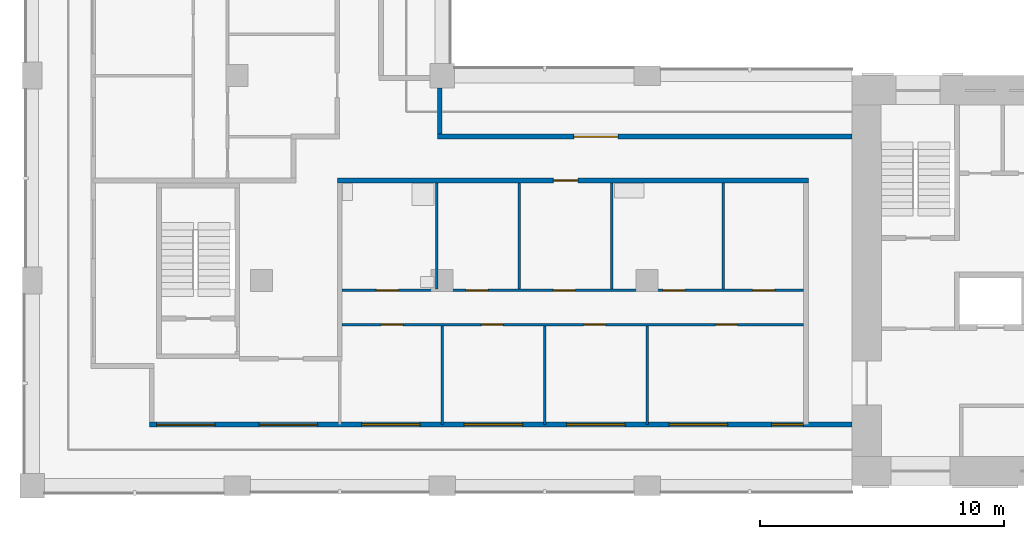
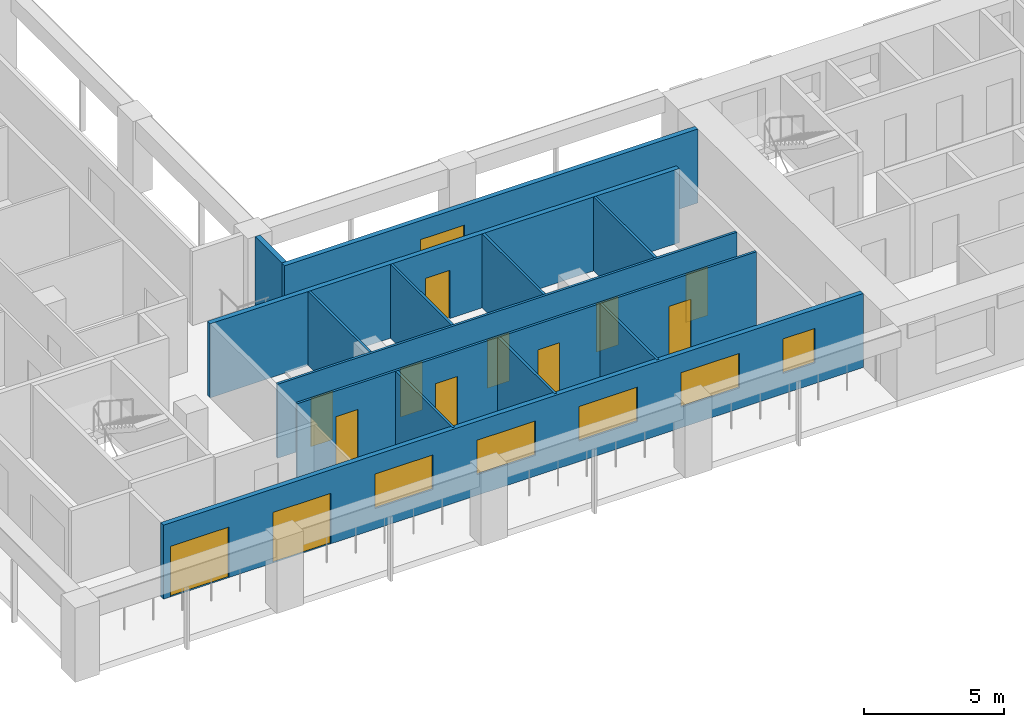
# One storey, part 2 of 9: 13 doors, 13 walls, 5 windows, 18 openings.
"""IFC4 building model written with IfcOpenShell, lengths in metres."""

from ifc_helpers import new_model, si_unit, direction, frame, frame_2d, origin, place, context, subcontext, project, spatial, rectangle, extrude, material, layer, layer_set, type_object, element, fill, save


model = new_model("IFC4")

# Units and contexts
model_context = context("Model", 3, precision=1e-05, world=origin(), true_north=direction((0.0, 1.0)))
body_context = subcontext(model_context, "Body", "Model", "MODEL_VIEW")
ifc_project = project(units=[si_unit("LENGTHUNIT", "METRE"), si_unit("AREAUNIT", "SQUARE_METRE"), si_unit("VOLUMEUNIT", "CUBIC_METRE"), si_unit("PLANEANGLEUNIT", "RADIAN"), si_unit("MASSUNIT", "GRAM", prefix="KILO")], contexts=[model_context])

# Site, building, storey
site_placement = place(None, origin())
site = spatial("IfcSite", under=ifc_project, at=site_placement, CompositionType="ELEMENT")
building_placement = place(site_placement, origin())
building = spatial("IfcBuilding", under=site, at=building_placement, Name="Vermilion Gate Residences", CompositionType="ELEMENT")
storey_placement = place(building_placement, frame((0.0, 0.0, 249.199951171875)))
storey = spatial("IfcBuildingStorey", under=building, at=storey_placement, Name="L65", CompositionType="ELEMENT", Elevation=249.199951171875)

# Wall, openings, doors, windows
ifc_material_1 = material(Name="Insulated steel stud wall with terracotta rainscreen", Category="masonry")
ifc_layer_1 = layer(ifc_material_1, 0.199951171875)
ifc_layer_set_1 = layer_set([ifc_layer_1], Name="EXTERNAL WALL 200 TERRACOTTA RAINSCREEN")
wall_type_1 = type_object("IfcWallType", Name="EXTERNAL WALL 200 TERRACOTTA RAINSCREEN", PredefinedType="SOLIDWALL", material=ifc_layer_set_1)
wall_1_placement = place(storey_placement, frame((13.199951171875, 10.89990234375, 0.0), z_axis=(0.0, 0.0, 1.0), x_axis=(1.0, 0.0, 0.0)))
wall_1 = element("IfcWall", 1, at=wall_1_placement, inside=storey, type_object=wall_type_1, Name="External wall", PredefinedType="SOLIDWALL", context=body_context, shape_type="SweptSolid", body=[
    extrude(rectangle(XDim=28.800048828125, YDim=0.199951171875, at=frame_2d((14.39990234375, 0.0))), origin(), (0.0, 0.0, 1.0), 3.219970703125),
])
opening_1_placement = place(wall_1_placement, frame((0.300048828125, 0.0, 0.0)))
opening_1 = element("IfcOpeningElement", 2, at=opening_1_placement, cuts=wall_1, Name="Opening DE65008", PredefinedType="OPENING", context=body_context, shape_type="SweptSolid", body=[
    extrude(rectangle(XDim=2.39990234375, YDim=2.199951171875, at=frame_2d((1.199951171875, 1.10009765625))), frame((0.0, 0.10986328125, 0.0), z_axis=(0.0, -1.0, 0.0), x_axis=(1.0, 0.0, 0.0)), (0.0, 0.0, 1.0), 0.219970703125),
])
opening_2_placement = place(wall_1_placement, frame((4.5, 0.0, 0.0)))
opening_2 = element("IfcOpeningElement", 3, at=opening_2_placement, cuts=wall_1, Name="Opening DE65009", PredefinedType="OPENING", context=body_context, shape_type="SweptSolid", body=[
    extrude(rectangle(XDim=2.39990234375, YDim=2.199951171875, at=frame_2d((1.199951171875, 1.10009765625))), frame((0.0, 0.10986328125, 0.0), z_axis=(0.0, -1.0, 0.0), x_axis=(1.0, 0.0, 0.0)), (0.0, 0.0, 1.0), 0.219970703125),
])
opening_3_placement = place(wall_1_placement, frame((8.699951171875, 0.0, 0.89990234375)))
opening_3 = element("IfcOpeningElement", 4, at=opening_3_placement, cuts=wall_1, Name="Opening WE65010", PredefinedType="OPENING", context=body_context, shape_type="SweptSolid", body=[
    extrude(rectangle(XDim=2.39990234375, YDim=1.5, at=frame_2d((1.199951171875, 0.75))), frame((0.0, 0.10986328125, 0.0), z_axis=(0.0, -1.0, 0.0), x_axis=(1.0, 0.0, 0.0)), (0.0, 0.0, 1.0), 0.219970703125),
])
opening_4_placement = place(wall_1_placement, frame((12.89990234375, 0.0, 0.89990234375)))
opening_4 = element("IfcOpeningElement", 5, at=opening_4_placement, cuts=wall_1, Name="Opening WE65011", PredefinedType="OPENING", context=body_context, shape_type="SweptSolid", body=[
    extrude(rectangle(XDim=2.39990234375, YDim=1.5, at=frame_2d((1.199951171875, 0.75))), frame((0.0, 0.10986328125, 0.0), z_axis=(0.0, -1.0, 0.0), x_axis=(1.0, 0.0, 0.0)), (0.0, 0.0, 1.0), 0.219970703125),
])
opening_5_placement = place(wall_1_placement, frame((17.10009765625, 0.0, 0.89990234375)))
opening_5 = element("IfcOpeningElement", 6, at=opening_5_placement, cuts=wall_1, Name="Opening WE65012", PredefinedType="OPENING", context=body_context, shape_type="SweptSolid", body=[
    extrude(rectangle(XDim=2.39990234375, YDim=1.5, at=frame_2d((1.199951171875, 0.75))), frame((0.0, 0.10986328125, 0.0), z_axis=(0.0, -1.0, 0.0), x_axis=(1.0, 0.0, 0.0)), (0.0, 0.0, 1.0), 0.219970703125),
])
opening_6_placement = place(wall_1_placement, frame((21.300048828125, 0.0, 0.89990234375)))
opening_6 = element("IfcOpeningElement", 7, at=opening_6_placement, cuts=wall_1, Name="Opening WE65013", PredefinedType="OPENING", context=body_context, shape_type="SweptSolid", body=[
    extrude(rectangle(XDim=2.39990234375, YDim=1.5, at=frame_2d((1.199951171875, 0.75))), frame((0.0, 0.10986328125, 0.0), z_axis=(0.0, -1.0, 0.0), x_axis=(1.0, 0.0, 0.0)), (0.0, 0.0, 1.0), 0.219970703125),
])
opening_7_placement = place(wall_1_placement, frame((25.5, 0.0, 0.89990234375)))
opening_7 = element("IfcOpeningElement", 8, at=opening_7_placement, cuts=wall_1, Name="Opening WE65014", PredefinedType="OPENING", context=body_context, shape_type="SweptSolid", body=[
    extrude(rectangle(XDim=1.300048828125, YDim=1.5, at=frame_2d((0.64990234375, 0.75))), frame((0.0, 0.10986328125, 0.0), z_axis=(0.0, -1.0, 0.0), x_axis=(1.0, 0.0, 0.0)), (0.0, 0.0, 1.0), 0.219970703125),
])
ifc_material_2 = material(Name="Aluminium and clear glass", Category="aluminium")
door_type_1 = type_object("IfcDoorType", Name="SLIDING GLAZED DOOR 2400 X 2200", OperationType="DOUBLE_DOOR_SLIDING", PredefinedType="DOOR", material=ifc_material_2)
door_1_placement = place(opening_1_placement, origin())
door_1 = element("IfcDoor", 9, at=door_1_placement, inside=storey, type_object=door_type_1, Name="Loggia sliding door", OperationType="DOUBLE_DOOR_SLIDING", OverallHeight=2.199951171875, OverallWidth=2.39990234375, PredefinedType="DOOR", context=body_context, shape_type="SweptSolid", body=[
    extrude(rectangle(XDim=2.39990234375, YDim=2.199951171875, at=frame_2d((1.199951171875, 1.10009765625))), frame((0.0, 0.02490234375, 0.0), z_axis=(0.0, -1.0, 0.0), x_axis=(1.0, 0.0, 0.0)), (0.0, 0.0, 1.0), 0.050048828125),
])
fill(opening_1, door_1)
door_2_placement = place(opening_2_placement, origin())
door_2 = element("IfcDoor", 10, at=door_2_placement, inside=storey, type_object=door_type_1, Name="Loggia sliding door", OperationType="DOUBLE_DOOR_SLIDING", OverallHeight=2.199951171875, OverallWidth=2.39990234375, PredefinedType="DOOR", context=body_context, shape_type="SweptSolid", body=[
    extrude(rectangle(XDim=2.39990234375, YDim=2.199951171875, at=frame_2d((1.199951171875, 1.10009765625))), frame((0.0, 0.02490234375, 0.0), z_axis=(0.0, -1.0, 0.0), x_axis=(1.0, 0.0, 0.0)), (0.0, 0.0, 1.0), 0.050048828125),
])
fill(opening_2, door_2)
ifc_material_3 = material(Name="Aluminium and clear glass", Category="aluminium")
window_type_1 = type_object("IfcWindowType", Name="WINDOW 1300 X 1500", PartitioningType="SINGLE_PANEL", PredefinedType="WINDOW", material=ifc_material_3)
window_1_placement = place(opening_7_placement, origin())
window_1 = element("IfcWindow", 11, at=window_1_placement, inside=storey, type_object=window_type_1, Name="Window", OverallHeight=1.5, OverallWidth=1.300048828125, PartitioningType="SINGLE_PANEL", PredefinedType="WINDOW", context=body_context, shape_type="SweptSolid", body=[
    extrude(rectangle(XDim=1.300048828125, YDim=1.5, at=frame_2d((0.64990234375, 0.75))), frame((0.0, 0.030029296875, 0.0), z_axis=(0.0, -1.0, 0.0), x_axis=(1.0, 0.0, 0.0)), (0.0, 0.0, 1.0), 0.06005859375),
])
fill(opening_7, window_1)
ifc_material_4 = material(Name="Aluminium and clear glass", Category="aluminium")
window_type_2 = type_object("IfcWindowType", Name="WINDOW 2400 X 1500", PartitioningType="SINGLE_PANEL", PredefinedType="WINDOW", material=ifc_material_4)
window_2_placement = place(opening_3_placement, origin())
window_2 = element("IfcWindow", 12, at=window_2_placement, inside=storey, type_object=window_type_2, Name="Window", OverallHeight=1.5, OverallWidth=2.39990234375, PartitioningType="SINGLE_PANEL", PredefinedType="WINDOW", context=body_context, shape_type="SweptSolid", body=[
    extrude(rectangle(XDim=2.39990234375, YDim=1.5, at=frame_2d((1.199951171875, 0.75))), frame((0.0, 0.030029296875, 0.0), z_axis=(0.0, -1.0, 0.0), x_axis=(1.0, 0.0, 0.0)), (0.0, 0.0, 1.0), 0.06005859375),
])
fill(opening_3, window_2)
window_3_placement = place(opening_4_placement, origin())
window_3 = element("IfcWindow", 13, at=window_3_placement, inside=storey, type_object=window_type_2, Name="Window", OverallHeight=1.5, OverallWidth=2.39990234375, PartitioningType="SINGLE_PANEL", PredefinedType="WINDOW", context=body_context, shape_type="SweptSolid", body=[
    extrude(rectangle(XDim=2.39990234375, YDim=1.5, at=frame_2d((1.199951171875, 0.75))), frame((0.0, 0.030029296875, 0.0), z_axis=(0.0, -1.0, 0.0), x_axis=(1.0, 0.0, 0.0)), (0.0, 0.0, 1.0), 0.06005859375),
])
fill(opening_4, window_3)
window_4_placement = place(opening_5_placement, origin())
window_4 = element("IfcWindow", 14, at=window_4_placement, inside=storey, type_object=window_type_2, Name="Window", OverallHeight=1.5, OverallWidth=2.39990234375, PartitioningType="SINGLE_PANEL", PredefinedType="WINDOW", context=body_context, shape_type="SweptSolid", body=[
    extrude(rectangle(XDim=2.39990234375, YDim=1.5, at=frame_2d((1.199951171875, 0.75))), frame((0.0, 0.030029296875, 0.0), z_axis=(0.0, -1.0, 0.0), x_axis=(1.0, 0.0, 0.0)), (0.0, 0.0, 1.0), 0.06005859375),
])
fill(opening_5, window_4)
window_5_placement = place(opening_6_placement, origin())
window_5 = element("IfcWindow", 15, at=window_5_placement, inside=storey, type_object=window_type_2, Name="Window", OverallHeight=1.5, OverallWidth=2.39990234375, PartitioningType="SINGLE_PANEL", PredefinedType="WINDOW", context=body_context, shape_type="SweptSolid", body=[
    extrude(rectangle(XDim=2.39990234375, YDim=1.5, at=frame_2d((1.199951171875, 0.75))), frame((0.0, 0.030029296875, 0.0), z_axis=(0.0, -1.0, 0.0), x_axis=(1.0, 0.0, 0.0)), (0.0, 0.0, 1.0), 0.06005859375),
])
fill(opening_6, window_5)

# Wall, opening, door
wall_2_placement = place(storey_placement, frame((42.0, 22.699951171875, 0.0), z_axis=(0.0, 0.0, 1.0), x_axis=(-1.0, 0.0, 0.0)))
wall_2 = element("IfcWall", 16, at=wall_2_placement, inside=storey, type_object=wall_type_1, Name="External wall", PredefinedType="SOLIDWALL", context=body_context, shape_type="SweptSolid", body=[
    extrude(rectangle(XDim=17.0, YDim=0.199951171875, at=frame_2d((8.5, 0.0))), origin(), (0.0, 0.0, 1.0), 3.219970703125),
])
opening_8_placement = place(wall_2_placement, frame((9.60009765625, 0.0, 0.0)))
opening_8 = element("IfcOpeningElement", 17, at=opening_8_placement, cuts=wall_2, Name="Opening DE65015", PredefinedType="OPENING", context=body_context, shape_type="SweptSolid", body=[
    extrude(rectangle(XDim=1.800048828125, YDim=2.39990234375, at=frame_2d((0.89990234375, 1.199951171875))), frame((0.0, 0.10986328125, 0.0), z_axis=(0.0, -1.0, 0.0), x_axis=(1.0, 0.0, 0.0)), (0.0, 0.0, 1.0), 0.219970703125),
])
ifc_material_5 = material(Name="Aluminium and clear glass", Category="aluminium")
door_type_2 = type_object("IfcDoorType", Name="GLAZED EXTERNAL DOOR 1800 X 2400", OperationType="DOUBLE_DOOR_SINGLE_SWING", PredefinedType="DOOR", material=ifc_material_5)
door_3_placement = place(opening_8_placement, frame((1.800048828125, 0.0, 0.0), z_axis=(0.0, 0.0, 1.0), x_axis=(-1.0, 0.0, 0.0)))
door_3 = element("IfcDoor", 18, at=door_3_placement, inside=storey, type_object=door_type_2, Name="Gallery door", OperationType="DOUBLE_DOOR_SINGLE_SWING", OverallHeight=2.39990234375, OverallWidth=1.800048828125, PredefinedType="DOOR", context=body_context, shape_type="SweptSolid", body=[
    extrude(rectangle(XDim=1.800048828125, YDim=2.39990234375, at=frame_2d((0.89990234375, 1.199951171875))), frame((0.0, 0.02490234375, 0.0), z_axis=(0.0, -1.0, 0.0), x_axis=(1.0, 0.0, 0.0)), (0.0, 0.0, 1.0), 0.050048828125),
])
fill(opening_8, door_3)

# Wall
wall_3_placement = place(storey_placement, frame((25.10009765625, 22.800048828125, 0.0), z_axis=(0.0, 0.0, 1.0), x_axis=(0.0, 1.0, 0.0)))
element("IfcWall", 19, at=wall_3_placement, inside=storey, type_object=wall_type_1, Name="External wall", PredefinedType="SOLIDWALL", context=body_context, shape_type="SweptSolid", body=[
    extrude(rectangle(XDim=1.89990234375, YDim=0.199951171875, at=frame_2d((0.949951171875, 0.0))), origin(), (0.0, 0.0, 1.0), 3.219970703125),
])

# Wall, openings, doors
ifc_material_6 = material(Name="Plasterboard on steel studs", Category="steel")
ifc_layer_2 = layer(ifc_material_6, 0.10009765625)
ifc_layer_set_2 = layer_set([ifc_layer_2], Name="PARTITION 100")
wall_type_2 = type_object("IfcWallType", Name="PARTITION 100", PredefinedType="PARTITIONING", material=ifc_layer_set_2)
wall_4_placement = place(storey_placement, frame((21.10009765625, 15.0, 0.0), z_axis=(0.0, 0.0, 1.0), x_axis=(1.0, 0.0, 0.0)))
wall_4 = element("IfcWall", 20, at=wall_4_placement, inside=storey, type_object=wall_type_2, Name="Partition", PredefinedType="PARTITIONING", context=body_context, shape_type="SweptSolid", body=[
    extrude(rectangle(XDim=18.89990234375, YDim=0.10009765625, at=frame_2d((9.449951171875, 0.0))), origin(), (0.0, 0.0, 1.0), 3.219970703125),
])
opening_9_placement = place(wall_4_placement, frame((1.60009765625, 0.0, 0.0)))
opening_9 = element("IfcOpeningElement", 21, at=opening_9_placement, cuts=wall_4, Name="Opening DA64002", PredefinedType="OPENING", context=body_context, shape_type="SweptSolid", body=[
    extrude(rectangle(XDim=0.89990234375, YDim=2.10009765625, at=frame_2d((0.449951171875, 1.050048828125))), frame((0.0, 0.06005859375, 0.0), z_axis=(0.0, -1.0, 0.0), x_axis=(1.0, 0.0, 0.0)), (0.0, 0.0, 1.0), 0.1201171875),
])
opening_10_placement = place(wall_4_placement, frame((5.699951171875, 0.0, 0.0)))
opening_10 = element("IfcOpeningElement", 22, at=opening_10_placement, cuts=wall_4, Name="Opening DA64003", PredefinedType="OPENING", context=body_context, shape_type="SweptSolid", body=[
    extrude(rectangle(XDim=0.89990234375, YDim=2.10009765625, at=frame_2d((0.449951171875, 1.050048828125))), frame((0.0, 0.06005859375, 0.0), z_axis=(0.0, -1.0, 0.0), x_axis=(1.0, 0.0, 0.0)), (0.0, 0.0, 1.0), 0.1201171875),
])
opening_11_placement = place(wall_4_placement, frame((9.89990234375, 0.0, 0.0)))
opening_11 = element("IfcOpeningElement", 23, at=opening_11_placement, cuts=wall_4, Name="Opening DA64004", PredefinedType="OPENING", context=body_context, shape_type="SweptSolid", body=[
    extrude(rectangle(XDim=0.89990234375, YDim=2.10009765625, at=frame_2d((0.449951171875, 1.050048828125))), frame((0.0, 0.06005859375, 0.0), z_axis=(0.0, -1.0, 0.0), x_axis=(1.0, 0.0, 0.0)), (0.0, 0.0, 1.0), 0.1201171875),
])
opening_12_placement = place(wall_4_placement, frame((15.300048828125, 0.0, 0.0)))
opening_12 = element("IfcOpeningElement", 24, at=opening_12_placement, cuts=wall_4, Name="Opening DA64005", PredefinedType="OPENING", context=body_context, shape_type="SweptSolid", body=[
    extrude(rectangle(XDim=0.89990234375, YDim=2.10009765625, at=frame_2d((0.449951171875, 1.050048828125))), frame((0.0, 0.06005859375, 0.0), z_axis=(0.0, -1.0, 0.0), x_axis=(1.0, 0.0, 0.0)), (0.0, 0.0, 1.0), 0.1201171875),
])
ifc_material_7 = material(Name="Timber", Category="wood")
door_type_3 = type_object("IfcDoorType", Name="INTERIOR DOOR 900 X 2100", OperationType="SINGLE_SWING_LEFT", PredefinedType="DOOR", material=ifc_material_7)
door_4_placement = place(opening_9_placement, frame((0.89990234375, 0.0, 0.0), z_axis=(0.0, 0.0, 1.0), x_axis=(-1.0, 0.0, 0.0)))
door_4 = element("IfcDoor", 25, at=door_4_placement, inside=storey, type_object=door_type_3, Name="Interior door", OperationType="SINGLE_SWING_LEFT", OverallHeight=2.10009765625, OverallWidth=0.89990234375, PredefinedType="DOOR", context=body_context, shape_type="SweptSolid", body=[
    extrude(rectangle(XDim=0.89990234375, YDim=2.10009765625, at=frame_2d((0.449951171875, 1.050048828125))), frame((0.0, 0.02490234375, 0.0), z_axis=(0.0, -1.0, 0.0), x_axis=(1.0, 0.0, 0.0)), (0.0, 0.0, 1.0), 0.050048828125),
])
fill(opening_9, door_4)
door_5_placement = place(opening_10_placement, frame((0.89990234375, 0.0, 0.0), z_axis=(0.0, 0.0, 1.0), x_axis=(-1.0, 0.0, 0.0)))
door_5 = element("IfcDoor", 26, at=door_5_placement, inside=storey, type_object=door_type_3, Name="Interior door", OperationType="SINGLE_SWING_RIGHT", OverallHeight=2.10009765625, OverallWidth=0.89990234375, PredefinedType="DOOR", context=body_context, shape_type="SweptSolid", body=[
    extrude(rectangle(XDim=0.89990234375, YDim=2.10009765625, at=frame_2d((0.449951171875, 1.050048828125))), frame((0.0, 0.02490234375, 0.0), z_axis=(0.0, -1.0, 0.0), x_axis=(1.0, 0.0, 0.0)), (0.0, 0.0, 1.0), 0.050048828125),
])
fill(opening_10, door_5)
door_6_placement = place(opening_11_placement, frame((0.89990234375, 0.0, 0.0), z_axis=(0.0, 0.0, 1.0), x_axis=(-1.0, 0.0, 0.0)))
door_6 = element("IfcDoor", 27, at=door_6_placement, inside=storey, type_object=door_type_3, Name="Interior door", OperationType="SINGLE_SWING_RIGHT", OverallHeight=2.10009765625, OverallWidth=0.89990234375, PredefinedType="DOOR", context=body_context, shape_type="SweptSolid", body=[
    extrude(rectangle(XDim=0.89990234375, YDim=2.10009765625, at=frame_2d((0.449951171875, 1.050048828125))), frame((0.0, 0.02490234375, 0.0), z_axis=(0.0, -1.0, 0.0), x_axis=(1.0, 0.0, 0.0)), (0.0, 0.0, 1.0), 0.050048828125),
])
fill(opening_11, door_6)
door_7_placement = place(opening_12_placement, frame((0.89990234375, 0.0, 0.0), z_axis=(0.0, 0.0, 1.0), x_axis=(-1.0, 0.0, 0.0)))
door_7 = element("IfcDoor", 28, at=door_7_placement, inside=storey, type_object=door_type_3, Name="Interior door", OperationType="SINGLE_SWING_LEFT", OverallHeight=2.10009765625, OverallWidth=0.89990234375, PredefinedType="DOOR", context=body_context, shape_type="SweptSolid", body=[
    extrude(rectangle(XDim=0.89990234375, YDim=2.10009765625, at=frame_2d((0.449951171875, 1.050048828125))), frame((0.0, 0.02490234375, 0.0), z_axis=(0.0, -1.0, 0.0), x_axis=(1.0, 0.0, 0.0)), (0.0, 0.0, 1.0), 0.050048828125),
])
fill(opening_12, door_7)

wall_5_placement = place(storey_placement, frame((21.10009765625, 16.39990234375, 0.0), z_axis=(0.0, 0.0, 1.0), x_axis=(1.0, 0.0, 0.0)))
wall_5 = element("IfcWall", 29, at=wall_5_placement, inside=storey, type_object=wall_type_2, Name="Partition", PredefinedType="PARTITIONING", context=body_context, shape_type="SweptSolid", body=[
    extrude(rectangle(XDim=18.89990234375, YDim=0.10009765625, at=frame_2d((9.449951171875, 0.0))), origin(), (0.0, 0.0, 1.0), 3.219970703125),
])
opening_13_placement = place(wall_5_placement, frame((8.659912109375, 0.0, 0.0)))
opening_13 = element("IfcOpeningElement", 30, at=opening_13_placement, cuts=wall_5, Name="Opening DA64006", PredefinedType="OPENING", context=body_context, shape_type="SweptSolid", body=[
    extrude(rectangle(XDim=0.89990234375, YDim=2.10009765625, at=frame_2d((0.449951171875, 1.050048828125))), frame((0.0, 0.06005859375, 0.0), z_axis=(0.0, -1.0, 0.0), x_axis=(1.0, 0.0, 0.0)), (0.0, 0.0, 1.0), 0.1201171875),
])
opening_14_placement = place(wall_5_placement, frame((1.39990234375, 0.0, 0.0)))
opening_14 = element("IfcOpeningElement", 31, at=opening_14_placement, cuts=wall_5, Name="Opening DA64007", PredefinedType="OPENING", context=body_context, shape_type="SweptSolid", body=[
    extrude(rectangle(XDim=0.89990234375, YDim=2.10009765625, at=frame_2d((0.449951171875, 1.050048828125))), frame((0.0, 0.06005859375, 0.0), z_axis=(0.0, -1.0, 0.0), x_axis=(1.0, 0.0, 0.0)), (0.0, 0.0, 1.0), 0.1201171875),
])
opening_15_placement = place(wall_5_placement, frame((5.080078125, 0.0, 0.0)))
opening_15 = element("IfcOpeningElement", 32, at=opening_15_placement, cuts=wall_5, Name="Opening DA64008", PredefinedType="OPENING", context=body_context, shape_type="SweptSolid", body=[
    extrude(rectangle(XDim=0.89990234375, YDim=2.10009765625, at=frame_2d((0.449951171875, 1.050048828125))), frame((0.0, 0.06005859375, 0.0), z_axis=(0.0, -1.0, 0.0), x_axis=(1.0, 0.0, 0.0)), (0.0, 0.0, 1.0), 0.1201171875),
])
opening_16_placement = place(wall_5_placement, frame((13.139892578125, 0.0, 0.0)))
opening_16 = element("IfcOpeningElement", 33, at=opening_16_placement, cuts=wall_5, Name="Opening DA64009", PredefinedType="OPENING", context=body_context, shape_type="SweptSolid", body=[
    extrude(rectangle(XDim=0.89990234375, YDim=2.10009765625, at=frame_2d((0.449951171875, 1.050048828125))), frame((0.0, 0.06005859375, 0.0), z_axis=(0.0, -1.0, 0.0), x_axis=(1.0, 0.0, 0.0)), (0.0, 0.0, 1.0), 0.1201171875),
])
opening_17_placement = place(wall_5_placement, frame((16.820068359375, 0.0, 0.0)))
opening_17 = element("IfcOpeningElement", 34, at=opening_17_placement, cuts=wall_5, Name="Opening DA64010", PredefinedType="OPENING", context=body_context, shape_type="SweptSolid", body=[
    extrude(rectangle(XDim=0.89990234375, YDim=2.10009765625, at=frame_2d((0.449951171875, 1.050048828125))), frame((0.0, 0.06005859375, 0.0), z_axis=(0.0, -1.0, 0.0), x_axis=(1.0, 0.0, 0.0)), (0.0, 0.0, 1.0), 0.1201171875),
])
door_8_placement = place(opening_13_placement, origin())
door_8 = element("IfcDoor", 35, at=door_8_placement, inside=storey, type_object=door_type_3, Name="Interior door", OperationType="SINGLE_SWING_LEFT", OverallHeight=2.10009765625, OverallWidth=0.89990234375, PredefinedType="DOOR", context=body_context, shape_type="SweptSolid", body=[
    extrude(rectangle(XDim=0.89990234375, YDim=2.10009765625, at=frame_2d((0.449951171875, 1.050048828125))), frame((0.0, 0.02490234375, 0.0), z_axis=(0.0, -1.0, 0.0), x_axis=(1.0, 0.0, 0.0)), (0.0, 0.0, 1.0), 0.050048828125),
])
fill(opening_13, door_8)
door_9_placement = place(opening_14_placement, origin())
door_9 = element("IfcDoor", 36, at=door_9_placement, inside=storey, type_object=door_type_3, Name="Interior door", OperationType="SINGLE_SWING_RIGHT", OverallHeight=2.10009765625, OverallWidth=0.89990234375, PredefinedType="DOOR", context=body_context, shape_type="SweptSolid", body=[
    extrude(rectangle(XDim=0.89990234375, YDim=2.10009765625, at=frame_2d((0.449951171875, 1.050048828125))), frame((0.0, 0.02490234375, 0.0), z_axis=(0.0, -1.0, 0.0), x_axis=(1.0, 0.0, 0.0)), (0.0, 0.0, 1.0), 0.050048828125),
])
fill(opening_14, door_9)
door_10_placement = place(opening_15_placement, origin())
door_10 = element("IfcDoor", 37, at=door_10_placement, inside=storey, type_object=door_type_3, Name="Interior door", OperationType="SINGLE_SWING_LEFT", OverallHeight=2.10009765625, OverallWidth=0.89990234375, PredefinedType="DOOR", context=body_context, shape_type="SweptSolid", body=[
    extrude(rectangle(XDim=0.89990234375, YDim=2.10009765625, at=frame_2d((0.449951171875, 1.050048828125))), frame((0.0, 0.02490234375, 0.0), z_axis=(0.0, -1.0, 0.0), x_axis=(1.0, 0.0, 0.0)), (0.0, 0.0, 1.0), 0.050048828125),
])
fill(opening_15, door_10)
door_11_placement = place(opening_16_placement, origin())
door_11 = element("IfcDoor", 38, at=door_11_placement, inside=storey, type_object=door_type_3, Name="Interior door", OperationType="SINGLE_SWING_LEFT", OverallHeight=2.10009765625, OverallWidth=0.89990234375, PredefinedType="DOOR", context=body_context, shape_type="SweptSolid", body=[
    extrude(rectangle(XDim=0.89990234375, YDim=2.10009765625, at=frame_2d((0.449951171875, 1.050048828125))), frame((0.0, 0.02490234375, 0.0), z_axis=(0.0, -1.0, 0.0), x_axis=(1.0, 0.0, 0.0)), (0.0, 0.0, 1.0), 0.050048828125),
])
fill(opening_16, door_11)
door_12_placement = place(opening_17_placement, origin())
door_12 = element("IfcDoor", 39, at=door_12_placement, inside=storey, type_object=door_type_3, Name="Interior door", OperationType="SINGLE_SWING_LEFT", OverallHeight=2.10009765625, OverallWidth=0.89990234375, PredefinedType="DOOR", context=body_context, shape_type="SweptSolid", body=[
    extrude(rectangle(XDim=0.89990234375, YDim=2.10009765625, at=frame_2d((0.449951171875, 1.050048828125))), frame((0.0, 0.02490234375, 0.0), z_axis=(0.0, -1.0, 0.0), x_axis=(1.0, 0.0, 0.0)), (0.0, 0.0, 1.0), 0.050048828125),
])
fill(opening_17, door_12)

# Walls
wall_6_placement = place(storey_placement, frame((24.97998046875, 16.449951171875, 0.0), z_axis=(0.0, 0.0, 1.0), x_axis=(0.0, 1.0, 0.0)))
element("IfcWall", 40, at=wall_6_placement, inside=storey, type_object=wall_type_2, Name="Partition", PredefinedType="PARTITIONING", context=body_context, shape_type="SweptSolid", body=[
    extrude(rectangle(XDim=4.35009765625, YDim=0.10009765625, at=frame_2d((2.175048828125, 0.0))), origin(), (0.0, 0.0, 1.0), 3.219970703125),
])
wall_7_placement = place(storey_placement, frame((25.199951171875, 10.89990234375, 0.0), z_axis=(0.0, 0.0, 1.0), x_axis=(0.0, 1.0, 0.0)))
element("IfcWall", 41, at=wall_7_placement, inside=storey, type_object=wall_type_2, Name="Partition", PredefinedType="PARTITIONING", context=body_context, shape_type="SweptSolid", body=[
    extrude(rectangle(XDim=4.050048828125, YDim=0.10009765625, at=frame_2d((2.02490234375, 0.0))), origin(), (0.0, 0.0, 1.0), 3.219970703125),
])
wall_8_placement = place(storey_placement, frame((28.360107421875, 16.449951171875, 0.0), z_axis=(0.0, 0.0, 1.0), x_axis=(0.0, 1.0, 0.0)))
element("IfcWall", 42, at=wall_8_placement, inside=storey, type_object=wall_type_2, Name="Partition", PredefinedType="PARTITIONING", context=body_context, shape_type="SweptSolid", body=[
    extrude(rectangle(XDim=4.35009765625, YDim=0.10009765625, at=frame_2d((2.175048828125, 0.0))), origin(), (0.0, 0.0, 1.0), 3.219970703125),
])
wall_9_placement = place(storey_placement, frame((29.39990234375, 10.89990234375, 0.0), z_axis=(0.0, 0.0, 1.0), x_axis=(0.0, 1.0, 0.0)))
element("IfcWall", 43, at=wall_9_placement, inside=storey, type_object=wall_type_2, Name="Partition", PredefinedType="PARTITIONING", context=body_context, shape_type="SweptSolid", body=[
    extrude(rectangle(XDim=4.050048828125, YDim=0.10009765625, at=frame_2d((2.02490234375, 0.0))), origin(), (0.0, 0.0, 1.0), 3.219970703125),
])
wall_10_placement = place(storey_placement, frame((32.139892578125, 16.449951171875, 0.0), z_axis=(0.0, 0.0, 1.0), x_axis=(0.0, 1.0, 0.0)))
element("IfcWall", 44, at=wall_10_placement, inside=storey, type_object=wall_type_2, Name="Partition", PredefinedType="PARTITIONING", context=body_context, shape_type="SweptSolid", body=[
    extrude(rectangle(XDim=4.35009765625, YDim=0.10009765625, at=frame_2d((2.175048828125, 0.0))), origin(), (0.0, 0.0, 1.0), 3.219970703125),
])
wall_11_placement = place(storey_placement, frame((33.60009765625, 10.89990234375, 0.0), z_axis=(0.0, 0.0, 1.0), x_axis=(0.0, 1.0, 0.0)))
element("IfcWall", 45, at=wall_11_placement, inside=storey, type_object=wall_type_2, Name="Partition", PredefinedType="PARTITIONING", context=body_context, shape_type="SweptSolid", body=[
    extrude(rectangle(XDim=4.050048828125, YDim=0.10009765625, at=frame_2d((2.02490234375, 0.0))), origin(), (0.0, 0.0, 1.0), 3.219970703125),
])
wall_12_placement = place(storey_placement, frame((36.719970703125, 16.449951171875, 0.0), z_axis=(0.0, 0.0, 1.0), x_axis=(0.0, 1.0, 0.0)))
element("IfcWall", 46, at=wall_12_placement, inside=storey, type_object=wall_type_2, Name="Partition", PredefinedType="PARTITIONING", context=body_context, shape_type="SweptSolid", body=[
    extrude(rectangle(XDim=4.35009765625, YDim=0.10009765625, at=frame_2d((2.175048828125, 0.0))), origin(), (0.0, 0.0, 1.0), 3.219970703125),
])

# Wall, opening, door
ifc_material_8 = material(Name="Fire-rated plasterboard on steel studs", Category="steel")
ifc_layer_3 = layer(ifc_material_8, 0.199951171875)
ifc_layer_set_3 = layer_set([ifc_layer_3], Name="PARTY WALL 200 EI 120")
wall_type_3 = type_object("IfcWallType", Name="PARTY WALL 200 EI 120", PredefinedType="PARTITIONING", material=ifc_layer_set_3)
wall_13_placement = place(storey_placement, frame((20.89990234375, 20.89990234375, 0.0), z_axis=(0.0, 0.0, 1.0), x_axis=(1.0, 0.0, 0.0)))
wall_13 = element("IfcWall", 47, at=wall_13_placement, inside=storey, type_object=wall_type_3, Name="Party and corridor wall", PredefinedType="PARTITIONING", context=body_context, shape_type="SweptSolid", body=[
    extrude(rectangle(XDim=19.300048828125, YDim=0.199951171875, at=frame_2d((9.64990234375, 0.0))), origin(), (0.0, 0.0, 1.0), 3.219970703125),
])
opening_18_placement = place(wall_13_placement, frame((8.860107421875, 0.0, 0.0)))
opening_18 = element("IfcOpeningElement", 48, at=opening_18_placement, cuts=wall_13, Name="Opening DA64011", PredefinedType="OPENING", context=body_context, shape_type="SweptSolid", body=[
    extrude(rectangle(XDim=1.0, YDim=2.10009765625, at=frame_2d((0.5, 1.050048828125))), frame((0.0, 0.10986328125, 0.0), z_axis=(0.0, -1.0, 0.0), x_axis=(1.0, 0.0, 0.0)), (0.0, 0.0, 1.0), 0.219970703125),
])
ifc_material_9 = material(Name="Steel", Category="steel")
door_type_4 = type_object("IfcDoorType", Name="ENTRANCE DOOR 1000 X 2100 FD30", OperationType="SINGLE_SWING_LEFT", PredefinedType="DOOR", material=ifc_material_9)
door_13_placement = place(opening_18_placement, frame((1.0, 0.0, 0.0), z_axis=(0.0, 0.0, 1.0), x_axis=(-1.0, 0.0, 0.0)))
door_13 = element("IfcDoor", 49, at=door_13_placement, inside=storey, type_object=door_type_4, Name="Entrance door", OperationType="SINGLE_SWING_LEFT", OverallHeight=2.10009765625, OverallWidth=1.0, PredefinedType="DOOR", context=body_context, shape_type="SweptSolid", body=[
    extrude(rectangle(XDim=1.0, YDim=2.10009765625, at=frame_2d((0.5, 1.050048828125))), frame((0.0, 0.02490234375, 0.0), z_axis=(0.0, -1.0, 0.0), x_axis=(1.0, 0.0, 0.0)), (0.0, 0.0, 1.0), 0.050048828125),
])
fill(opening_18, door_13)

save(model, "model.ifc")
